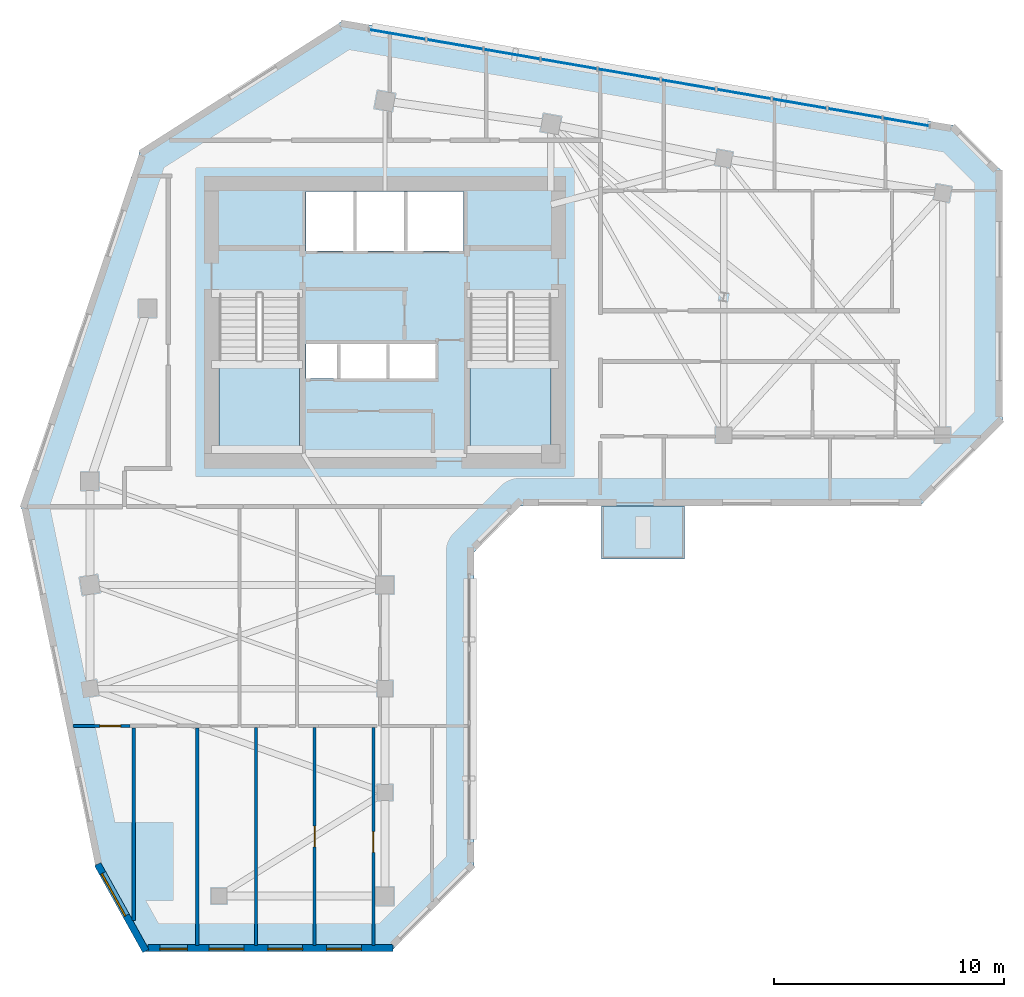
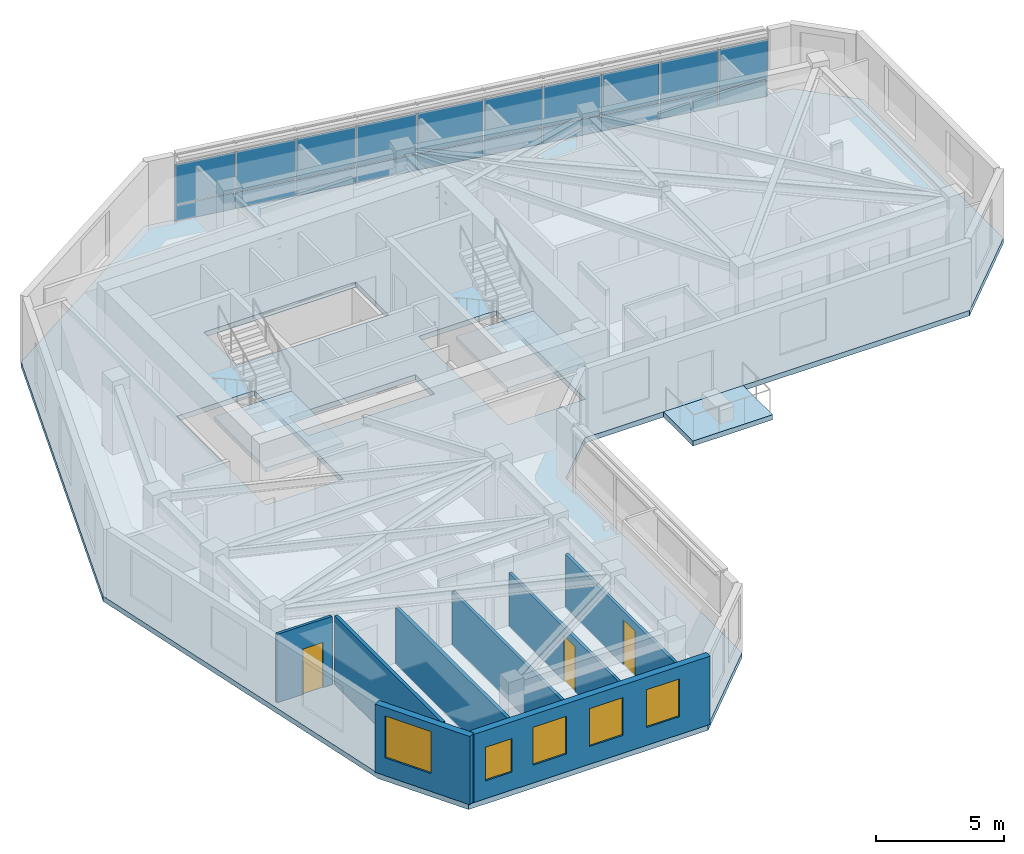
# One storey, part 4 of 11: 20 plates, 8 walls, 5 windows, 4 slabs, 3 doors, 8 openings, 3 elements without a shape of their own.
"""IFC4 building model written with IfcOpenShell, lengths in metres."""

from ifc_helpers import new_model, si_unit, direction, frame, frame_2d, origin, place, context, subcontext, project, spatial, polyline, rectangle, outline, extrude, source, transform, mapped, material, layer, layer_set, type_object, element, fill, aggregate, save


model = new_model("IFC4")

# Units and contexts
model_context = context("Model", 3, precision=1e-05, world=origin(), true_north=direction((0.0, 1.0)))
body_context = subcontext(model_context, "Body", "Model", "MODEL_VIEW")
ifc_project = project(units=[si_unit("LENGTHUNIT", "METRE"), si_unit("AREAUNIT", "SQUARE_METRE"), si_unit("VOLUMEUNIT", "CUBIC_METRE"), si_unit("PLANEANGLEUNIT", "RADIAN"), si_unit("MASSUNIT", "GRAM", prefix="KILO")], contexts=[model_context])

# Site, building, storey
site_placement = place(None, origin())
site = spatial("IfcSite", under=ifc_project, at=site_placement, CompositionType="ELEMENT")
building_placement = place(site_placement, origin())
building = spatial("IfcBuilding", under=site, at=building_placement, Name="Calvemar Wedge Station Tower", CompositionType="ELEMENT")
storey_placement = place(building_placement, frame((0.0, 0.0, 183.39990234375)))
storey = spatial("IfcBuildingStorey", under=building, at=storey_placement, Name="L45", CompositionType="ELEMENT", Elevation=183.39990234375)

# Curtain wall, plates
ifc_material_1 = material(Name="Anodised aluminium 6063-T6", Category="aluminium")
curtain_wall_type = type_object("IfcCurtainWallType", Name="CW3", PredefinedType="NOTDEFINED", material=ifc_material_1)
curtain_wall_placement = place(storey_placement, origin())
curtain_wall = element("IfcCurtainWall", 1, at=curtain_wall_placement, inside=storey, type_object=curtain_wall_type, Name="Storey L45 CW3 Recessed Unitised Curtain Wall 10", PredefinedType="NOTDEFINED")
ifc_material_2 = material(Name="Low-E laminated insulated glass", Category="glass")
ifc_layer_1 = layer(ifc_material_2, 0.028076171875)
ifc_layer_set_1 = layer_set([ifc_layer_1], Name="Low-E laminated insulated glass")
plate_type_1 = type_object("IfcPlateType", Name="CW3-GLZ", PredefinedType="CURTAIN_PANEL", material=ifc_layer_set_1)
plate_1_placement = place(storey_placement, frame((47.415771484375, 48.414794921875, 0.8701171875), z_axis=(0.0, 0.0, 1.0), x_axis=(-0.985540432015, 0.169440422758, 0.0)))
plate_1 = element("IfcPlate", 2, at=plate_1_placement, type_object=plate_type_1, Name="CW3 vision glass panel 1", PredefinedType="CURTAIN_PANEL", context=body_context, shape_type="SweptSolid", body=[
    extrude(rectangle(XDim=2.032958984375, YDim=0.028076171875, at=frame_2d((1.0166015625, 0.0))), origin(), (0.0, 0.0, 1.0), 1.909912109375),
])
plate_2_placement = place(storey_placement, frame((45.376708984375, 48.765380859375, 0.8701171875), z_axis=(0.0, 0.0, 1.0), x_axis=(-0.985524518475, 0.169532956928, 0.0)))
plate_2 = element("IfcPlate", 3, at=plate_2_placement, type_object=plate_type_1, Name="CW3 vision glass panel 2", PredefinedType="CURTAIN_PANEL", context=body_context, shape_type="SweptSolid", body=[
    extrude(rectangle(XDim=2.405029296875, YDim=0.028076171875, at=frame_2d((1.20263671875, 0.0))), origin(), (0.0, 0.0, 1.0), 1.909912109375),
])
plate_3_placement = place(storey_placement, frame((42.970947265625, 49.17919921875, 0.8701171875), z_axis=(0.0, 0.0, 1.0), x_axis=(-0.985521600301, 0.169549919904, 0.0)))
plate_3 = element("IfcPlate", 4, at=plate_3_placement, type_object=plate_type_1, Name="CW3 vision glass panel 3", PredefinedType="CURTAIN_PANEL", context=body_context, shape_type="SweptSolid", body=[
    extrude(rectangle(XDim=2.40478515625, YDim=0.028076171875, at=frame_2d((1.202392578125, 0.0))), origin(), (0.0, 0.0, 1.0), 1.909912109375),
])
plate_4_placement = place(storey_placement, frame((40.565673828125, 49.593017578125, 0.8701171875), z_axis=(0.0, 0.0, 1.0), x_axis=(-0.985513392938, 0.169597618908, 0.0)))
plate_4 = element("IfcPlate", 5, at=plate_4_placement, type_object=plate_type_1, Name="CW3 vision glass panel 4", PredefinedType="CURTAIN_PANEL", context=body_context, shape_type="SweptSolid", body=[
    extrude(rectangle(XDim=2.405517578125, YDim=0.028076171875, at=frame_2d((1.20263671875, 0.0))), origin(), (0.0, 0.0, 1.0), 1.909912109375),
])
plate_5_placement = place(storey_placement, frame((38.15966796875, 50.007080078125, 0.8701171875), z_axis=(0.0, 0.0, 1.0), x_axis=(-0.985530352195, 0.169499041006, 0.0)))
plate_5 = element("IfcPlate", 6, at=plate_5_placement, type_object=plate_type_1, Name="CW3 vision glass panel 5", PredefinedType="CURTAIN_PANEL", context=body_context, shape_type="SweptSolid", body=[
    extrude(rectangle(XDim=2.405517578125, YDim=0.028076171875, at=frame_2d((1.20263671875, 0.0))), origin(), (0.0, 0.0, 1.0), 1.909912109375),
])
plate_6_placement = place(storey_placement, frame((35.753662109375, 50.4208984375, 0.8701171875), z_axis=(0.0, 0.0, 1.0), x_axis=(-0.985520439195, 0.169556668781, 0.0)))
plate_6 = element("IfcPlate", 7, at=plate_6_placement, type_object=plate_type_1, Name="CW3 vision glass panel 6", PredefinedType="CURTAIN_PANEL", context=body_context, shape_type="SweptSolid", body=[
    extrude(rectangle(XDim=2.75439453125, YDim=0.028076171875, at=frame_2d((1.377197265625, 0.0))), origin(), (0.0, 0.0, 1.0), 1.909912109375),
])
plate_7_placement = place(storey_placement, frame((33.003662109375, 50.89404296875, 0.8701171875), z_axis=(0.0, 0.0, 1.0), x_axis=(-0.985522121529, 0.169546890203, 0.0)))
plate_7 = element("IfcPlate", 8, at=plate_7_placement, type_object=plate_type_1, Name="CW3 vision glass panel 7", PredefinedType="CURTAIN_PANEL", context=body_context, shape_type="SweptSolid", body=[
    extrude(rectangle(XDim=2.475341796875, YDim=0.028076171875, at=frame_2d((1.23779296875, 0.0))), origin(), (0.0, 0.0, 1.0), 1.909912109375),
])
plate_8_placement = place(storey_placement, frame((30.528564453125, 51.319580078125, 0.8701171875), z_axis=(0.0, 0.0, 1.0), x_axis=(-0.985505636657, 0.169642683652, 0.0)))
plate_8 = element("IfcPlate", 9, at=plate_8_placement, type_object=plate_type_1, Name="CW3 vision glass panel 8", PredefinedType="CURTAIN_PANEL", context=body_context, shape_type="SweptSolid", body=[
    extrude(rectangle(XDim=2.475341796875, YDim=0.028076171875, at=frame_2d((1.23779296875, 0.0))), origin(), (0.0, 0.0, 1.0), 1.909912109375),
])
plate_9_placement = place(storey_placement, frame((28.0537109375, 51.74560546875, 0.8701171875), z_axis=(0.0, 0.0, 1.0), x_axis=(-0.98553324407, 0.169482225713, 0.0)))
plate_9 = element("IfcPlate", 10, at=plate_9_placement, type_object=plate_type_1, Name="CW3 vision glass panel 9", PredefinedType="CURTAIN_PANEL", context=body_context, shape_type="SweptSolid", body=[
    extrude(rectangle(XDim=2.4833984375, YDim=0.028076171875, at=frame_2d((1.24169921875, 0.0))), origin(), (0.0, 0.0, 1.0), 1.909912109375),
])
plate_10_placement = place(storey_placement, frame((25.57080078125, 52.172607421875, 0.8701171875), z_axis=(0.0, 0.0, 1.0), x_axis=(-0.985516819371, 0.169577707074, 0.0)))
plate_10 = element("IfcPlate", 11, at=plate_10_placement, type_object=plate_type_1, Name="CW3 vision glass panel 10", PredefinedType="CURTAIN_PANEL", context=body_context, shape_type="SweptSolid", body=[
    extrude(rectangle(XDim=2.4833984375, YDim=0.028076171875, at=frame_2d((1.24169921875, 0.0))), origin(), (0.0, 0.0, 1.0), 1.909912109375),
])
ifc_material_3 = material(Name="Oxidized bronze aluminium spandrel panel 5005-H24", Category="aluminium")
ifc_layer_2 = layer(ifc_material_3, 0.0400390625)
ifc_layer_set_2 = layer_set([ifc_layer_2], Name="Oxidized bronze aluminium spandrel panel 5005-H24")
plate_type_2 = type_object("IfcPlateType", Name="CW3-SPD", PredefinedType="SHEET", material=ifc_layer_set_2)
plate_11_placement = place(storey_placement, frame((47.415771484375, 48.414794921875, 0.080078125), z_axis=(0.0, 0.0, 1.0), x_axis=(-0.985540432015, 0.169440422758, 0.0)))
plate_11 = element("IfcPlate", 12, at=plate_11_placement, type_object=plate_type_2, Name="CW3 bronze spandrel panel 1", PredefinedType="SHEET", context=body_context, shape_type="SweptSolid", body=[
    extrude(rectangle(XDim=2.032958984375, YDim=0.0400390625, at=frame_2d((1.0166015625, 0.0))), origin(), (0.0, 0.0, 1.0), 0.75),
])
plate_12_placement = place(storey_placement, frame((45.376708984375, 48.765380859375, 0.080078125), z_axis=(0.0, 0.0, 1.0), x_axis=(-0.985524518475, 0.169532956928, 0.0)))
plate_12 = element("IfcPlate", 13, at=plate_12_placement, type_object=plate_type_2, Name="CW3 bronze spandrel panel 2", PredefinedType="SHEET", context=body_context, shape_type="SweptSolid", body=[
    extrude(rectangle(XDim=2.405029296875, YDim=0.0400390625, at=frame_2d((1.20263671875, 0.0))), origin(), (0.0, 0.0, 1.0), 0.75),
])
plate_13_placement = place(storey_placement, frame((42.970947265625, 49.17919921875, 0.080078125), z_axis=(0.0, 0.0, 1.0), x_axis=(-0.985521600301, 0.169549919904, 0.0)))
plate_13 = element("IfcPlate", 14, at=plate_13_placement, type_object=plate_type_2, Name="CW3 bronze spandrel panel 3", PredefinedType="SHEET", context=body_context, shape_type="SweptSolid", body=[
    extrude(rectangle(XDim=2.40478515625, YDim=0.0400390625, at=frame_2d((1.202392578125, 0.0))), origin(), (0.0, 0.0, 1.0), 0.75),
])
plate_14_placement = place(storey_placement, frame((40.565673828125, 49.593017578125, 0.080078125), z_axis=(0.0, 0.0, 1.0), x_axis=(-0.985513392938, 0.169597618908, 0.0)))
plate_14 = element("IfcPlate", 15, at=plate_14_placement, type_object=plate_type_2, Name="CW3 bronze spandrel panel 4", PredefinedType="SHEET", context=body_context, shape_type="SweptSolid", body=[
    extrude(rectangle(XDim=2.405517578125, YDim=0.0400390625, at=frame_2d((1.20263671875, 0.0))), origin(), (0.0, 0.0, 1.0), 0.75),
])
plate_15_placement = place(storey_placement, frame((38.15966796875, 50.007080078125, 0.080078125), z_axis=(0.0, 0.0, 1.0), x_axis=(-0.985530352195, 0.169499041006, 0.0)))
plate_15 = element("IfcPlate", 16, at=plate_15_placement, type_object=plate_type_2, Name="CW3 bronze spandrel panel 5", PredefinedType="SHEET", context=body_context, shape_type="SweptSolid", body=[
    extrude(rectangle(XDim=2.405517578125, YDim=0.0400390625, at=frame_2d((1.20263671875, 0.0))), origin(), (0.0, 0.0, 1.0), 0.75),
])
plate_16_placement = place(storey_placement, frame((35.753662109375, 50.4208984375, 0.080078125), z_axis=(0.0, 0.0, 1.0), x_axis=(-0.985520439195, 0.169556668781, 0.0)))
plate_16 = element("IfcPlate", 17, at=plate_16_placement, type_object=plate_type_2, Name="CW3 bronze spandrel panel 6", PredefinedType="SHEET", context=body_context, shape_type="SweptSolid", body=[
    extrude(rectangle(XDim=2.75439453125, YDim=0.0400390625, at=frame_2d((1.377197265625, 0.0))), origin(), (0.0, 0.0, 1.0), 0.75),
])
plate_17_placement = place(storey_placement, frame((33.003662109375, 50.89404296875, 0.080078125), z_axis=(0.0, 0.0, 1.0), x_axis=(-0.985522121529, 0.169546890203, 0.0)))
plate_17 = element("IfcPlate", 18, at=plate_17_placement, type_object=plate_type_2, Name="CW3 bronze spandrel panel 7", PredefinedType="SHEET", context=body_context, shape_type="SweptSolid", body=[
    extrude(rectangle(XDim=2.475341796875, YDim=0.0400390625, at=frame_2d((1.23779296875, 0.0))), origin(), (0.0, 0.0, 1.0), 0.75),
])
plate_18_placement = place(storey_placement, frame((30.528564453125, 51.319580078125, 0.080078125), z_axis=(0.0, 0.0, 1.0), x_axis=(-0.985505636657, 0.169642683652, 0.0)))
plate_18 = element("IfcPlate", 19, at=plate_18_placement, type_object=plate_type_2, Name="CW3 bronze spandrel panel 8", PredefinedType="SHEET", context=body_context, shape_type="SweptSolid", body=[
    extrude(rectangle(XDim=2.475341796875, YDim=0.0400390625, at=frame_2d((1.23779296875, 0.0))), origin(), (0.0, 0.0, 1.0), 0.75),
])
plate_19_placement = place(storey_placement, frame((28.0537109375, 51.74560546875, 0.080078125), z_axis=(0.0, 0.0, 1.0), x_axis=(-0.98553324407, 0.169482225713, 0.0)))
plate_19 = element("IfcPlate", 20, at=plate_19_placement, type_object=plate_type_2, Name="CW3 bronze spandrel panel 9", PredefinedType="SHEET", context=body_context, shape_type="SweptSolid", body=[
    extrude(rectangle(XDim=2.4833984375, YDim=0.0400390625, at=frame_2d((1.24169921875, 0.0))), origin(), (0.0, 0.0, 1.0), 0.75),
])
plate_20_placement = place(storey_placement, frame((25.57080078125, 52.172607421875, 0.080078125), z_axis=(0.0, 0.0, 1.0), x_axis=(-0.985516819371, 0.169577707074, 0.0)))
plate_20 = element("IfcPlate", 21, at=plate_20_placement, type_object=plate_type_2, Name="CW3 bronze spandrel panel 10", PredefinedType="SHEET", context=body_context, shape_type="SweptSolid", body=[
    extrude(rectangle(XDim=2.4833984375, YDim=0.0400390625, at=frame_2d((1.24169921875, 0.0))), origin(), (0.0, 0.0, 1.0), 0.75),
])
aggregate(curtain_wall, [plate_11, plate_1, plate_12, plate_2, plate_13, plate_3, plate_14, plate_4, plate_15, plate_5, plate_16, plate_6, plate_17, plate_7, plate_18, plate_8, plate_19, plate_9, plate_20, plate_10])

# Stair, slab
ifc_material_4 = material(Name="Concrete C45", Category="concrete")
stair_type = type_object("IfcStairType", Name="ST-TYPE-3500", PredefinedType="HALF_TURN_STAIR", material=ifc_material_4)
stair_1_placement = place(storey_placement, origin())
stair_1 = element("IfcStair", 22, at=stair_1_placement, inside=storey, type_object=stair_type, Name="L45 Pressurized Core Exit Stair ST-C1", PredefinedType="HALF_TURN_STAIR")
ifc_layer_3 = layer(ifc_material_4, 0.199951171875)
ifc_layer_set_3 = layer_set([ifc_layer_3], Name="Concrete C45")
slab_type_1 = type_object("IfcSlabType", Name="SL-STAIR-LND-200", PredefinedType="LANDING", material=ifc_layer_set_3)
slab_1_placement = place(storey_placement, frame((0.0, 0.0, 1.550048828125)))
slab_1 = element("IfcSlab", 23, at=slab_1_placement, type_object=slab_type_1, Name="ST-C1 landing 1", PredefinedType="LANDING", context=body_context, shape_type="SweptSolid", body=[
    extrude(outline(polyline([(16.60009765625, 38.25), (16.60009765625, 34.199951171875), (20.10009765625, 34.199951171875), (20.10009765625, 38.25), (16.60009765625, 38.25)])), origin(), (0.0, 0.0, 1.0), 0.199951171875),
])
aggregate(stair_1, [slab_1])

stair_2_placement = place(storey_placement, origin())
stair_2 = element("IfcStair", 24, at=stair_2_placement, inside=storey, type_object=stair_type, Name="L45 Pressurized Core Exit Stair ST-C2", PredefinedType="HALF_TURN_STAIR")
slab_2_placement = place(storey_placement, frame((0.0, 0.0, 1.550048828125)))
slab_2 = element("IfcSlab", 25, at=slab_2_placement, type_object=slab_type_1, Name="ST-C2 landing 1", PredefinedType="LANDING", context=body_context, shape_type="SweptSolid", body=[
    extrude(outline(polyline([(27.5, 38.25), (27.5, 34.199951171875), (31.0, 34.199951171875), (31.0, 38.25), (27.5, 38.25)])), origin(), (0.0, 0.0, 1.0), 0.199951171875),
])
aggregate(stair_2, [slab_2])

# Slabs
ifc_layer_4 = layer(ifc_material_4, 0.239990234375)
ifc_layer_set_4 = layer_set([ifc_layer_4], Name="Concrete C45")
slab_type_2 = type_object("IfcSlabType", Name="SL-TERR-240", PredefinedType="FLOOR", material=ifc_layer_set_4)
slab_3_placement = place(storey_placement, frame((0.0, 0.0, -0.239990234375)))
element("IfcSlab", 26, at=slab_3_placement, inside=storey, type_object=slab_type_2, Name="Storey L45 Planted Spiral Terrace Slab", PredefinedType="FLOOR", context=body_context, shape_type="SweptSolid", body=[
    extrude(outline(polyline([(33.199951171875, 31.924072265625), (33.199951171875, 29.6240234375), (36.800048828125, 29.6240234375), (36.800048828125, 31.924072265625), (33.199951171875, 31.924072265625)])), origin(), (0.0, 0.0, 1.0), 0.239990234375),
])
ifc_material_5 = material(Name="Concrete C50", Category="concrete")
ifc_layer_5 = layer(ifc_material_5, 0.25)
ifc_layer_set_5 = layer_set([ifc_layer_5], Name="Concrete C50")
slab_type_3 = type_object("IfcSlabType", Name="SL-TYP-250", PredefinedType="FLOOR", material=ifc_layer_set_5)
slab_4_placement = place(storey_placement, frame((0.0, 0.0, -0.25)))
element("IfcSlab", 27, at=slab_4_placement, inside=storey, type_object=slab_type_3, Name="Storey L45 Structural Floor Slab", PredefinedType="FLOOR", context=body_context, shape_type="SweptSolid", body=[
    extrude(outline(polyline([(8.0, 32.0), (11.263916015625, 16.199951171875), (13.263916015625, 12.60009765625), (24.06396484375, 12.60009765625), (27.6640625, 16.199951171875), (27.6640625, 29.924072265625), (29.6640625, 31.924072265625), (47.0, 31.924072265625), (50.60009765625, 35.52392578125), (50.60009765625, 46.424072265625), (48.60009765625, 48.424072265625), (22.0, 53.0), (13.199951171875, 47.39990234375), (8.0, 32.0)]), holes=[polyline([(20.10009765625, 34.199951171875), (20.10009765625, 41.14990234375), (16.60009765625, 41.14990234375), (16.60009765625, 34.199951171875), (20.10009765625, 34.199951171875)]), polyline([(27.5, 34.199951171875), (31.0, 34.199951171875), (31.0, 41.14990234375), (27.5, 41.14990234375), (27.5, 34.199951171875)]), polyline([(21.800048828125, 37.449951171875), (23.929931640625, 37.449951171875), (23.93994140625, 37.449951171875), (26.080078125, 37.449951171875), (26.080078125, 38.949951171875), (23.93994140625, 38.949951171875), (23.929931640625, 38.949951171875), (21.800048828125, 38.949951171875), (21.7900390625, 38.949951171875), (20.3798828125, 38.949951171875), (20.3798828125, 37.449951171875), (21.7900390625, 37.449951171875), (21.800048828125, 37.449951171875)]), polyline([(27.219970703125, 43.0), (27.219970703125, 45.580078125), (20.3798828125, 45.580078125), (20.3798828125, 43.0), (27.219970703125, 43.0)])]), origin(), (0.0, 0.0, 1.0), 0.25),
])

# Wall, opening, window
ifc_material_6 = material(Name="Precast concrete C45", Category="concrete")
ifc_layer_6 = layer(ifc_material_6, 0.300048828125)
ifc_layer_set_6 = layer_set([ifc_layer_6], Name="Precast concrete C45")
wall_type_1 = type_object("IfcWallType", Name="W-EXT-GFRC-300", PredefinedType="SOLIDWALL", material=ifc_layer_set_6)
wall_1_placement = place(storey_placement, frame((11.33349609375, 16.3837890625, 0.0), z_axis=(0.0, 0.0, 1.0), x_axis=(0.485633305139, -0.874162623852, 0.0)))
wall_1 = element("IfcWall", 28, at=wall_1_placement, inside=storey, type_object=wall_type_1, Name="Storey L45 Bronze GFRC Exterior Wall 1", PredefinedType="SOLIDWALL", context=body_context, shape_type="SweptSolid", body=[
    extrude(rectangle(XDim=4.306884765625, YDim=0.300048828125, at=frame_2d((2.1533203125, 0.0))), origin(), (0.0, 0.0, 1.0), 3.25),
])
shared_shape_1 = source(origin(), body_context, "Body", "SweptSolid", [
    extrude(rectangle(XDim=2.10009765625, YDim=2.0, at=frame_2d((1.050048828125, 1.0))), frame((0.0, 0.16015625, 0.0), z_axis=(0.0, -1.0, 0.0), x_axis=(1.0, 0.0, 0.0)), (0.0, 0.0, 1.0), 0.320068359375),
])
opening_1_placement = place(wall_1_placement, frame((0.446044921875, 0.0, 0.85009765625)))
opening_1 = element("IfcOpeningElement", 29, at=opening_1_placement, cuts=wall_1, Name="Opening W4", PredefinedType="OPENING", context=body_context, shape_type="MappedRepresentation", body=[
    mapped(shared_shape_1, transform((0.0, 0.0, 0.0), scale=1.0)),
])
window_type_1 = type_object("IfcWindowType", Name="WIN-EXT-4", PartitioningType="SINGLE_PANEL", PredefinedType="WINDOW", material=ifc_material_2)
shared_shape_2 = source(origin(), body_context, "Body", "SweptSolid", [
    extrude(rectangle(XDim=2.10009765625, YDim=2.0, at=frame_2d((1.050048828125, 1.0))), frame((0.0, -0.014892578125, 0.0), z_axis=(0.0, -1.0, 0.0), x_axis=(1.0, 0.0, 0.0)), (0.0, 0.0, 1.0), 0.06005859375),
])
window_1_placement = place(opening_1_placement, origin())
window_1 = element("IfcWindow", 30, at=window_1_placement, inside=storey, type_object=window_type_1, Name="Storey L45 Recessed Window 1.1", OverallHeight=2.0, OverallWidth=2.10009765625, PartitioningType="SINGLE_PANEL", PredefinedType="WINDOW", context=body_context, shape_type="MappedRepresentation", body=[
    mapped(shared_shape_2, transform((0.0, 0.0, 0.0), scale=1.0)),
])
fill(opening_1, window_1)

# Wall, openings, windows
wall_2_placement = place(storey_placement, frame((13.510009765625, 12.75, 0.0), z_axis=(0.0, 0.0, 1.0), x_axis=(1.0, 0.0, 0.0)))
wall_2 = element("IfcWall", 31, at=wall_2_placement, inside=storey, type_object=wall_type_1, Name="Storey L45 Bronze GFRC Exterior Wall 2", PredefinedType="SOLIDWALL", context=body_context, shape_type="SweptSolid", body=[
    extrude(rectangle(XDim=10.641845703125, YDim=0.300048828125, at=frame_2d((5.32080078125, 0.0))), origin(), (0.0, 0.0, 1.0), 3.25),
])
shared_shape_3 = source(origin(), body_context, "Body", "SweptSolid", [
    extrude(rectangle(XDim=1.199951171875, YDim=1.60009765625, at=frame_2d((0.60009765625, 0.800048828125))), frame((0.0, 0.16015625, 0.0), z_axis=(0.0, -1.0, 0.0), x_axis=(1.0, 0.0, 0.0)), (0.0, 0.0, 1.0), 0.320068359375),
])
opening_2_placement = place(wall_2_placement, frame((0.52001953125, 0.0, 0.85009765625)))
opening_2 = element("IfcOpeningElement", 32, at=opening_2_placement, cuts=wall_2, Name="Opening W5", PredefinedType="OPENING", context=body_context, shape_type="MappedRepresentation", body=[
    mapped(shared_shape_3, transform((0.0, 0.0, 0.0), scale=1.0)),
])
shared_shape_4 = source(origin(), body_context, "Body", "SweptSolid", [
    extrude(rectangle(XDim=1.5, YDim=1.800048828125, at=frame_2d((0.75, 0.89990234375))), frame((0.0, 0.16015625, 0.0), z_axis=(0.0, -1.0, 0.0), x_axis=(1.0, 0.0, 0.0)), (0.0, 0.0, 1.0), 0.320068359375),
])
opening_3_placement = place(wall_2_placement, frame((2.6650390625, 0.0, 0.85009765625)))
opening_3 = element("IfcOpeningElement", 33, at=opening_3_placement, cuts=wall_2, Name="Opening W3", PredefinedType="OPENING", context=body_context, shape_type="MappedRepresentation", body=[
    mapped(shared_shape_4, transform((0.0, 0.0, 0.0), scale=1.0)),
])
opening_4_placement = place(wall_2_placement, frame((5.215087890625, 0.0, 0.85009765625)))
opening_4 = element("IfcOpeningElement", 34, at=opening_4_placement, cuts=wall_2, Name="Opening W3", PredefinedType="OPENING", context=body_context, shape_type="MappedRepresentation", body=[
    mapped(shared_shape_4, transform((0.0, 0.0, 0.0), scale=1.0)),
])
opening_5_placement = place(wall_2_placement, frame((7.764892578125, 0.0, 0.85009765625)))
opening_5 = element("IfcOpeningElement", 35, at=opening_5_placement, cuts=wall_2, Name="Opening W3", PredefinedType="OPENING", context=body_context, shape_type="MappedRepresentation", body=[
    mapped(shared_shape_4, transform((0.0, 0.0, 0.0), scale=1.0)),
])
window_type_2 = type_object("IfcWindowType", Name="WIN-EXT-3", PartitioningType="SINGLE_PANEL", PredefinedType="WINDOW", material=ifc_material_2)
shared_shape_5 = source(origin(), body_context, "Body", "SweptSolid", [
    extrude(rectangle(XDim=1.5, YDim=1.800048828125, at=frame_2d((0.75, 0.89990234375))), frame((0.0, -0.014892578125, 0.0), z_axis=(0.0, -1.0, 0.0), x_axis=(1.0, 0.0, 0.0)), (0.0, 0.0, 1.0), 0.06005859375),
])
window_2_placement = place(opening_3_placement, origin())
window_2 = element("IfcWindow", 36, at=window_2_placement, inside=storey, type_object=window_type_2, Name="Storey L45 Recessed Window 2.2", OverallHeight=1.800048828125, OverallWidth=1.5, PartitioningType="SINGLE_PANEL", PredefinedType="WINDOW", context=body_context, shape_type="MappedRepresentation", body=[
    mapped(shared_shape_5, transform((0.0, 0.0, 0.0), scale=1.0)),
])
fill(opening_3, window_2)
window_3_placement = place(opening_4_placement, origin())
window_3 = element("IfcWindow", 37, at=window_3_placement, inside=storey, type_object=window_type_2, Name="Storey L45 Recessed Window 2.3", OverallHeight=1.800048828125, OverallWidth=1.5, PartitioningType="SINGLE_PANEL", PredefinedType="WINDOW", context=body_context, shape_type="MappedRepresentation", body=[
    mapped(shared_shape_5, transform((0.0, 0.0, 0.0), scale=1.0)),
])
fill(opening_4, window_3)
window_4_placement = place(opening_5_placement, origin())
window_4 = element("IfcWindow", 38, at=window_4_placement, inside=storey, type_object=window_type_2, Name="Storey L45 Recessed Window 2.4", OverallHeight=1.800048828125, OverallWidth=1.5, PartitioningType="SINGLE_PANEL", PredefinedType="WINDOW", context=body_context, shape_type="MappedRepresentation", body=[
    mapped(shared_shape_5, transform((0.0, 0.0, 0.0), scale=1.0)),
])
fill(opening_5, window_4)
window_type_3 = type_object("IfcWindowType", Name="WIN-EXT-5", PartitioningType="SINGLE_PANEL", PredefinedType="WINDOW", material=ifc_material_2)
shared_shape_6 = source(origin(), body_context, "Body", "SweptSolid", [
    extrude(rectangle(XDim=1.199951171875, YDim=1.60009765625, at=frame_2d((0.60009765625, 0.800048828125))), frame((0.0, -0.014892578125, 0.0), z_axis=(0.0, -1.0, 0.0), x_axis=(1.0, 0.0, 0.0)), (0.0, 0.0, 1.0), 0.06005859375),
])
window_5_placement = place(opening_2_placement, origin())
window_5 = element("IfcWindow", 39, at=window_5_placement, inside=storey, type_object=window_type_3, Name="Storey L45 Recessed Window 2.1", OverallHeight=1.60009765625, OverallWidth=1.199951171875, PartitioningType="SINGLE_PANEL", PredefinedType="WINDOW", context=body_context, shape_type="MappedRepresentation", body=[
    mapped(shared_shape_6, transform((0.0, 0.0, 0.0), scale=1.0)),
])
fill(opening_2, window_5)

# Wall, opening, door
ifc_material_7 = material(Name="Insulated acoustic gypsum stud partition")
ifc_layer_7 = layer(ifc_material_7, 0.125)
ifc_layer_set_7 = layer_set([ifc_layer_7], Name="Insulated acoustic gypsum stud partition")
wall_type_2 = type_object("IfcWallType", Name="W-PART-125", PredefinedType="PARTITIONING", material=ifc_layer_set_7)
wall_3_placement = place(storey_placement, frame((12.738037109375, 22.383056640625, 0.0), z_axis=(0.0, 0.0, 1.0), x_axis=(-1.0, 0.0, 0.0)))
wall_3 = element("IfcWall", 40, at=wall_3_placement, inside=storey, type_object=wall_type_2, Name="Storey L45 Interior Partition WL-L45-058", PredefinedType="PARTITIONING", context=body_context, shape_type="SweptSolid", body=[
    extrude(rectangle(XDim=2.480712890625, YDim=0.125, at=frame_2d((1.240234375, 0.0))), origin(), (0.0, 0.0, 1.0), 3.25),
])
shared_shape_7 = source(origin(), body_context, "Body", "SweptSolid", [
    extrude(rectangle(XDim=0.89990234375, YDim=2.14990234375, at=frame_2d((0.449951171875, 1.074951171875))), frame((0.0, 0.072509765625, 0.0), z_axis=(0.0, -1.0, 0.0), x_axis=(1.0, 0.0, 0.0)), (0.0, 0.0, 1.0), 0.14501953125),
])
opening_6_placement = place(wall_3_placement, frame((0.40771484375, 0.0, 0.0)))
opening_6 = element("IfcOpeningElement", 41, at=opening_6_placement, cuts=wall_3, Name="Opening D-01", PredefinedType="OPENING", context=body_context, shape_type="MappedRepresentation", body=[
    mapped(shared_shape_7, transform((0.0, 0.0, 0.0), scale=1.0)),
])
ifc_material_8 = material(Name="Architectural hardwood acoustic swing door", Category="wood")
door_type = type_object("IfcDoorType", Name="DR-INT-900", OperationType="NOTDEFINED", PredefinedType="DOOR", material=ifc_material_8)
shared_shape_8 = source(origin(), body_context, "Body", "SweptSolid", [
    extrude(rectangle(XDim=0.89990234375, YDim=2.14990234375, at=frame_2d((0.449951171875, 1.074951171875))), frame((0.0, 0.02490234375, 0.0), z_axis=(0.0, -1.0, 0.0), x_axis=(1.0, 0.0, 0.0)), (0.0, 0.0, 1.0), 0.050048828125),
])
door_1_placement = place(opening_6_placement, origin())
door_1 = element("IfcDoor", 42, at=door_1_placement, inside=storey, type_object=door_type, Name="L45 Bedroom Door", OperationType="SINGLE_SWING_LEFT", OverallHeight=2.14990234375, OverallWidth=0.89990234375, PredefinedType="DOOR", context=body_context, shape_type="MappedRepresentation", body=[
    mapped(shared_shape_8, transform((0.0, 0.0, 0.0), scale=1.0)),
])
fill(opening_6, door_1)

# Wall
wall_4_placement = place(storey_placement, frame((18.199951171875, 22.31640625, 0.0), z_axis=(0.0, 0.0, 1.0), x_axis=(0.0, -1.0, 0.0)))
element("IfcWall", 43, at=wall_4_placement, inside=storey, type_object=wall_type_2, Name="Storey L45 Interior Partition WL-L45-064", PredefinedType="PARTITIONING", context=body_context, shape_type="SweptSolid", body=[
    extrude(rectangle(XDim=9.451416015625, YDim=0.125, at=frame_2d((4.7255859375, 0.0))), origin(), (0.0, 0.0, 1.0), 2.5419921875),
])

# Wall, opening, door
wall_5_placement = place(storey_placement, frame((20.75, 22.31640625, 0.0), z_axis=(0.0, 0.0, 1.0), x_axis=(0.0, -1.0, 0.0)))
wall_5 = element("IfcWall", 44, at=wall_5_placement, inside=storey, type_object=wall_type_2, Name="Storey L45 Interior Partition WL-L45-065", PredefinedType="PARTITIONING", context=body_context, shape_type="SweptSolid", body=[
    extrude(rectangle(XDim=9.451416015625, YDim=0.125, at=frame_2d((4.7255859375, 0.0))), origin(), (0.0, 0.0, 1.0), 2.5419921875),
])
opening_7_placement = place(wall_5_placement, frame((4.27587890625, 0.0, 0.0)))
opening_7 = element("IfcOpeningElement", 45, at=opening_7_placement, cuts=wall_5, Name="Opening D-01", PredefinedType="OPENING", context=body_context, shape_type="MappedRepresentation", body=[
    mapped(shared_shape_7, transform((0.0, 0.0, 0.0), scale=1.0)),
])
door_2_placement = place(opening_7_placement, origin())
door_2 = element("IfcDoor", 46, at=door_2_placement, inside=storey, type_object=door_type, Name="L45 Bedroom Door", OperationType="SINGLE_SWING_RIGHT", OverallHeight=2.14990234375, OverallWidth=0.89990234375, PredefinedType="DOOR", context=body_context, shape_type="MappedRepresentation", body=[
    mapped(shared_shape_8, transform((0.0, 0.0, 0.0), scale=1.0)),
])
fill(opening_7, door_2)

wall_6_placement = place(storey_placement, frame((23.300048828125, 22.31640625, 0.0), z_axis=(0.0, 0.0, 1.0), x_axis=(0.0, -1.0, 0.0)))
wall_6 = element("IfcWall", 47, at=wall_6_placement, inside=storey, type_object=wall_type_2, Name="Storey L45 Interior Partition WL-L45-066", PredefinedType="PARTITIONING", context=body_context, shape_type="SweptSolid", body=[
    extrude(rectangle(XDim=9.451416015625, YDim=0.125, at=frame_2d((4.7255859375, 0.0))), origin(), (0.0, 0.0, 1.0), 2.5419921875),
])
opening_8_placement = place(wall_6_placement, frame((4.517822265625, 0.0, 0.0)))
opening_8 = element("IfcOpeningElement", 48, at=opening_8_placement, cuts=wall_6, Name="Opening D-01", PredefinedType="OPENING", context=body_context, shape_type="MappedRepresentation", body=[
    mapped(shared_shape_7, transform((0.0, 0.0, 0.0), scale=1.0)),
])
door_3_placement = place(opening_8_placement, origin())
door_3 = element("IfcDoor", 49, at=door_3_placement, inside=storey, type_object=door_type, Name="L45 Bedroom Door", OperationType="SINGLE_SWING_LEFT", OverallHeight=2.14990234375, OverallWidth=0.89990234375, PredefinedType="DOOR", context=body_context, shape_type="MappedRepresentation", body=[
    mapped(shared_shape_8, transform((0.0, 0.0, 0.0), scale=1.0)),
])
fill(opening_8, door_3)

# Walls
ifc_material_9 = material(Name="Moisture-resistant acoustic bathroom partition")
ifc_layer_8 = layer(ifc_material_9, 0.14990234375)
ifc_layer_set_8 = layer_set([ifc_layer_8], Name="Moisture-resistant acoustic bathroom partition")
wall_type_3 = type_object("IfcWallType", Name="W-WET-150", PredefinedType="PARTITIONING", material=ifc_layer_set_8)
wall_7_placement = place(storey_placement, frame((12.89990234375, 13.945068359375, 0.0), z_axis=(0.0, 0.0, 1.0), x_axis=(0.0, 1.0, 0.0)))
element("IfcWall", 50, at=wall_7_placement, inside=storey, type_object=wall_type_3, Name="Storey L45 Interior Partition WL-L45-062", PredefinedType="PARTITIONING", context=body_context, shape_type="SweptSolid", body=[
    extrude(rectangle(XDim=8.35888671875, YDim=0.14990234375, at=frame_2d((4.179443359375, 0.0))), origin(), (0.0, 0.0, 1.0), 3.25),
])
wall_8_placement = place(storey_placement, frame((15.64990234375, 22.303955078125, 0.0), z_axis=(0.0, 0.0, 1.0), x_axis=(0.0, -1.0, 0.0)))
element("IfcWall", 51, at=wall_8_placement, inside=storey, type_object=wall_type_3, Name="Storey L45 Interior Partition WL-L45-063", PredefinedType="PARTITIONING", context=body_context, shape_type="SweptSolid", body=[
    extrude(rectangle(XDim=9.43896484375, YDim=0.14990234375, at=frame_2d((4.719482421875, 0.0))), origin(), (0.0, 0.0, 1.0), 2.68798828125),
])

save(model, "model.ifc")
